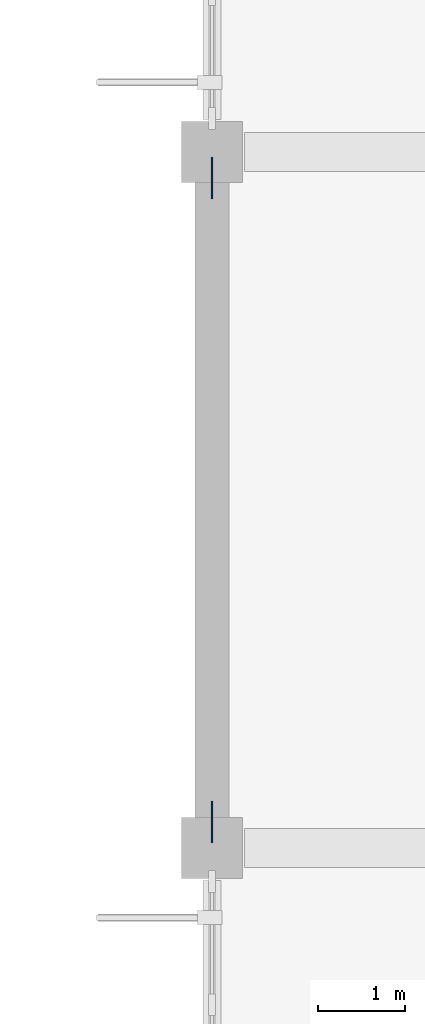
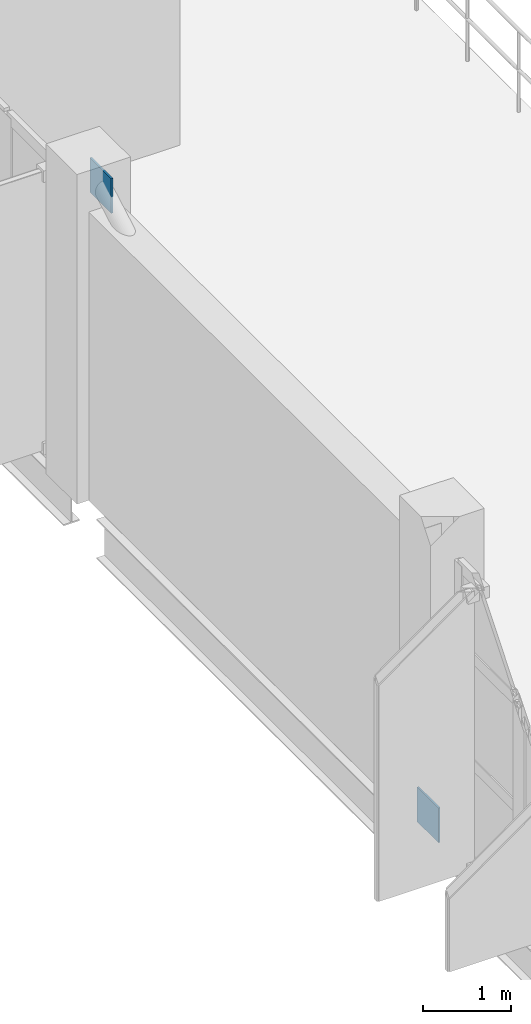
# One storey, part 64 of 93: 2 plates.
"""IFC4 building model written with IfcOpenShell, lengths in metres."""

from ifc_helpers import new_model, si_unit, direction, frame, origin, origin_2d, place, context, subcontext, project, spatial, rectangle, extrude, material, layer, layer_set, type_object, element, save


model = new_model("IFC4")

# Units and contexts
model_context = context("Model", 3, precision=1e-05, world=origin(), true_north=direction((0.0, 1.0)))
body_context = subcontext(model_context, "Body", "Model", "MODEL_VIEW")
ifc_project = project(units=[si_unit("LENGTHUNIT", "METRE"), si_unit("AREAUNIT", "SQUARE_METRE"), si_unit("VOLUMEUNIT", "CUBIC_METRE"), si_unit("PLANEANGLEUNIT", "RADIAN"), si_unit("MASSUNIT", "GRAM", prefix="KILO")], contexts=[model_context])

# Site, building, storey
site_placement = place(None, origin())
site = spatial("IfcSite", under=ifc_project, at=site_placement, CompositionType="ELEMENT")
building_placement = place(site_placement, origin())
building = spatial("IfcBuilding", under=site, at=building_placement, Name="Drelvana Railside Aquatics Centre", CompositionType="ELEMENT")
storey_placement = place(building_placement, frame((0.0, 0.0, 5.39990234375)))
storey = spatial("IfcBuildingStorey", under=building, at=storey_placement, Name="L01", CompositionType="ELEMENT", Elevation=5.39990234375)

# Plates
ifc_material = material(Name="Structural steel S355", Category="steel")
ifc_layer = layer(ifc_material, 0.02197265625, Name="Structural steel S355")
ifc_layer_set = layer_set([ifc_layer], Name="Structural steel S355")
plate_type = type_object("IfcPlateType", Name="STR-PLT-PL-04", PredefinedType="SHEET", material=ifc_layer_set)
for number, where, z_axis, x_axis, name in (
    (1, (24.0, 92.300048828125, -0.18994140625), (0.0, 0.0, 1.0), (1.0, 0.0, 0.0), "Brace gusset end plate PL-04 (L01)"),
    (2, (24.0, 99.699951171875, 4.010009765625), (0.0, 0.0, 1.0), (1.0, 0.0, 0.0), "Brace gusset end plate PL-04 (L01)"),
):
    element("IfcPlate", number, at=place(storey_placement, frame(where, z_axis=z_axis, x_axis=x_axis)), inside=storey, type_object=plate_type, Name=name, PredefinedType="SHEET", context=body_context, shape_type="SweptSolid", body=[
        extrude(rectangle(XDim=0.02197265625, YDim=0.47998046875, at=origin_2d()), origin(), (0.0, 0.0, 1.0), 0.47998046875),
    ])

save(model, "model.ifc")
